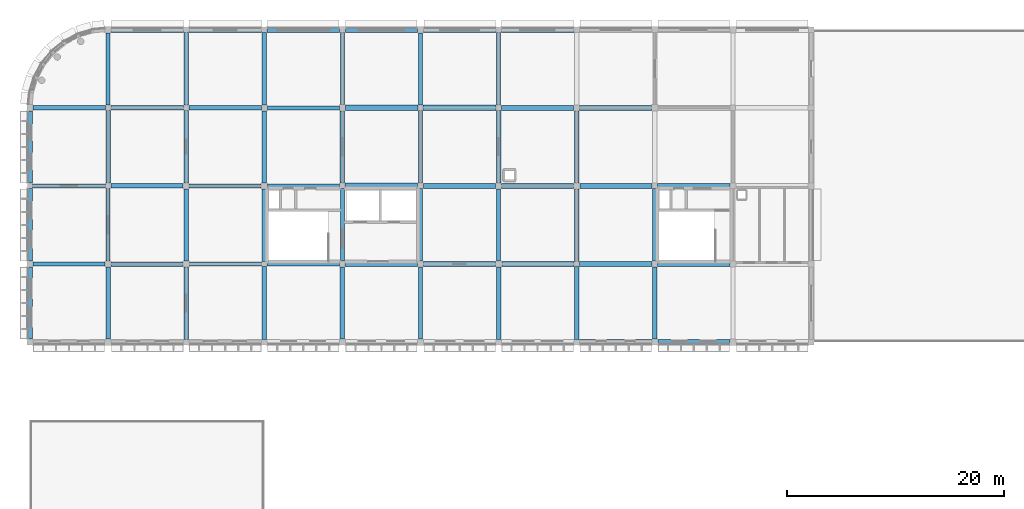
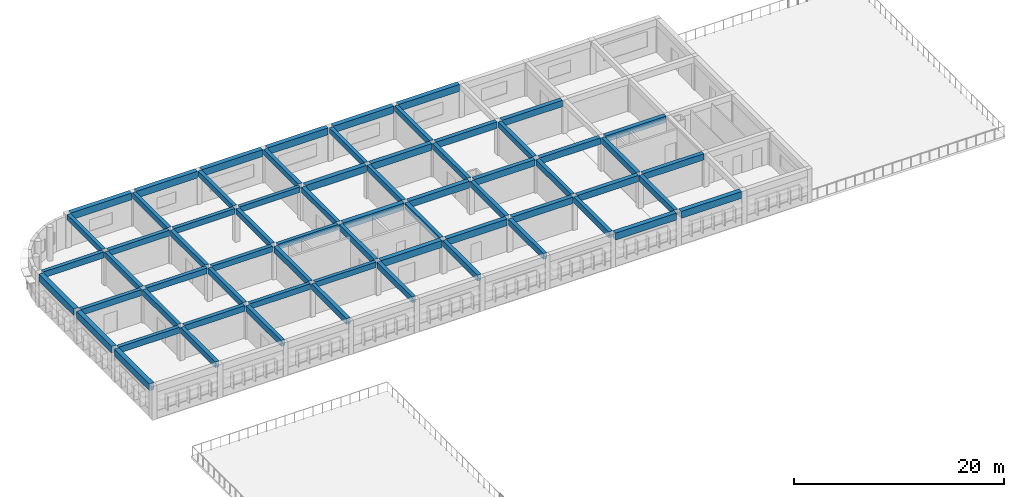
# One storey, part 3 of 22: 66 beams.
"""IFC4 building model written with IfcOpenShell, lengths in metres."""

from ifc_helpers import new_model, si_unit, direction, frame, origin, origin_2d, place, context, subcontext, project, spatial, rectangle, extrude, material, material_profile, profile_set, type_object, element, save


model = new_model("IFC4")

# Units and contexts
model_context = context("Model", 3, precision=1e-05, world=origin(), true_north=direction((0.0, 1.0)))
body_context = subcontext(model_context, "Body", "Model", "MODEL_VIEW")
ifc_project = project(units=[si_unit("LENGTHUNIT", "METRE"), si_unit("AREAUNIT", "SQUARE_METRE"), si_unit("VOLUMEUNIT", "CUBIC_METRE"), si_unit("PLANEANGLEUNIT", "RADIAN"), si_unit("MASSUNIT", "GRAM", prefix="KILO")], contexts=[model_context])

# Site, building, storey
site_placement = place(None, origin())
site = spatial("IfcSite", under=ifc_project, at=site_placement, CompositionType="ELEMENT")
building_placement = place(site_placement, origin())
building = spatial("IfcBuilding", under=site, at=building_placement, Name="Thalmaran Polytechnic", CompositionType="ELEMENT")
storey_placement = place(building_placement, frame((0.0, 0.0, 22.800048828125)))
storey = spatial("IfcBuildingStorey", under=building, at=storey_placement, Name="L05", CompositionType="ELEMENT", Elevation=22.800048828125)

# Beams
ifc_material = material(Name="Concrete C40/50", Category="concrete")
ifc_material_profile_1 = material_profile(ifc_material, rectangle(XDim=0.5, YDim=0.800048828125, at=origin_2d()), Name="RC 500x800")
ifc_profile_set_1 = profile_set([ifc_material_profile_1], Name="Concrete C40/50")
beam_type_1 = type_object("IfcBeamType", Name="BM-RC02", PredefinedType="BEAM", material=ifc_profile_set_1)
beam_1_placement = place(storey_placement, frame((29.06005859375, 100.800048828125, 3.5), z_axis=(1.0, 0.0, 0.0), x_axis=(0.0, 1.0, 0.0)))
element("IfcBeam", 1, at=beam_1_placement, inside=storey, type_object=beam_type_1, Name="Grid Beam B02 L05 X(4,14)", PredefinedType="BEAM", context=body_context, shape_type="SweptSolid", body=[
    extrude(rectangle(XDim=0.5, YDim=0.800048828125, at=origin_2d()), origin(), (0.0, 0.0, 1.0), 6.6650390625),
])
beam_2_placement = place(storey_placement, frame((29.050048828125, 108.0, 3.5), z_axis=(1.0, 0.0, 0.0), x_axis=(0.0, 1.0, 0.0)))
element("IfcBeam", 2, at=beam_2_placement, inside=storey, type_object=beam_type_1, Name="Grid Beam B02 L05 X(4,15)", PredefinedType="BEAM", context=body_context, shape_type="SweptSolid", body=[
    extrude(rectangle(XDim=0.5, YDim=0.800048828125, at=origin_2d()), origin(), (0.0, 0.0, 1.0), 6.68994140625),
])
beam_3_placement = place(storey_placement, frame((29.090087890625, 115.199951171875, 3.5), z_axis=(1.0, 0.0, 0.0), x_axis=(0.0, 1.0, 0.0)))
element("IfcBeam", 3, at=beam_3_placement, inside=storey, type_object=beam_type_1, Name="Grid Beam B02 L05 X(4,16)", PredefinedType="BEAM", context=body_context, shape_type="SweptSolid", body=[
    extrude(rectangle(XDim=0.5, YDim=0.800048828125, at=origin_2d()), origin(), (0.0, 0.0, 1.0), 6.659912109375),
])
ifc_material_profile_2 = material_profile(ifc_material, rectangle(XDim=0.449951171875, YDim=0.75, at=origin_2d()), Name="RC 450x750")
ifc_profile_set_2 = profile_set([ifc_material_profile_2], Name="Concrete C40/50")
beam_type_2 = type_object("IfcBeamType", Name="BM-RC03", PredefinedType="BEAM", material=ifc_profile_set_2)
beam_4_placement = place(storey_placement, frame((43.489990234375, 100.800048828125, 3.52490234375), z_axis=(1.0, 0.0, 0.0), x_axis=(0.0, 1.0, 0.0)))
element("IfcBeam", 4, at=beam_4_placement, inside=storey, type_object=beam_type_2, Name="Grid Beam B03 L05 X(6,14)", PredefinedType="BEAM", context=body_context, shape_type="SweptSolid", body=[
    extrude(rectangle(XDim=0.449951171875, YDim=0.75, at=origin_2d()), origin(), (0.0, 0.0, 1.0), 6.659912109375),
])
beam_5_placement = place(storey_placement, frame((43.47509765625, 108.0, 3.52490234375), z_axis=(1.0, 0.0, 0.0), x_axis=(0.0, 1.0, 0.0)))
element("IfcBeam", 5, at=beam_5_placement, inside=storey, type_object=beam_type_2, Name="Grid Beam B03 L05 X(6,15)", PredefinedType="BEAM", context=body_context, shape_type="SweptSolid", body=[
    extrude(rectangle(XDim=0.449951171875, YDim=0.75, at=origin_2d()), origin(), (0.0, 0.0, 1.0), 6.635009765625),
])
beam_6_placement = place(storey_placement, frame((43.4599609375, 115.199951171875, 3.52490234375), z_axis=(1.0, 0.0, 0.0), x_axis=(0.0, 1.0, 0.0)))
element("IfcBeam", 6, at=beam_6_placement, inside=storey, type_object=beam_type_2, Name="Grid Beam B03 L05 X(6,16)", PredefinedType="BEAM", context=body_context, shape_type="SweptSolid", body=[
    extrude(rectangle(XDim=0.449951171875, YDim=0.75, at=origin_2d()), origin(), (0.0, 0.0, 1.0), 6.6650390625),
])
ifc_material_profile_3 = material_profile(ifc_material, rectangle(XDim=0.449951171875, YDim=0.72509765625, at=origin_2d()), Name="RC 450x725")
ifc_profile_set_3 = profile_set([ifc_material_profile_3], Name="Concrete C40/50")
beam_type_3 = type_object("IfcBeamType", Name="BM-RC04", PredefinedType="BEAM", material=ifc_profile_set_3)
beam_7_placement = place(storey_placement, frame((57.860107421875, 100.800048828125, 3.537353515625), z_axis=(1.0, 0.0, 0.0), x_axis=(0.0, 1.0, 0.0)))
element("IfcBeam", 7, at=beam_7_placement, inside=storey, type_object=beam_type_3, Name="Grid Beam B04 L05 X(8,14)", PredefinedType="BEAM", context=body_context, shape_type="SweptSolid", body=[
    extrude(rectangle(XDim=0.449951171875, YDim=0.72509765625, at=origin_2d()), origin(), (0.0, 0.0, 1.0), 6.664794921875),
])
beam_8_placement = place(storey_placement, frame((57.85009765625, 108.0, 3.537353515625), z_axis=(1.0, 0.0, 0.0), x_axis=(0.0, 1.0, 0.0)))
element("IfcBeam", 8, at=beam_8_placement, inside=storey, type_object=beam_type_3, Name="Grid Beam B04 L05 X(8,15)", PredefinedType="BEAM", context=body_context, shape_type="SweptSolid", body=[
    extrude(rectangle(XDim=0.449951171875, YDim=0.72509765625, at=origin_2d()), origin(), (0.0, 0.0, 1.0), 6.68994140625),
])
ifc_material_profile_4 = material_profile(ifc_material, rectangle(XDim=0.39990234375, YDim=0.699951171875, at=origin_2d()), Name="RC 400x700")
ifc_profile_set_4 = profile_set([ifc_material_profile_4], Name="Concrete C40/50")
beam_type_4 = type_object("IfcBeamType", Name="BM-RC05", PredefinedType="BEAM", material=ifc_profile_set_4)
beam_9_placement = place(storey_placement, frame((0.260009765625, 100.800048828125, 3.550048828125), z_axis=(1.0, 0.0, 0.0), x_axis=(0.0, 1.0, 0.0)))
element("IfcBeam", 9, at=beam_9_placement, inside=storey, type_object=beam_type_4, Name="Grid Beam B05 L05 X(0,14)", PredefinedType="BEAM", context=body_context, shape_type="SweptSolid", body=[
    extrude(rectangle(XDim=0.39990234375, YDim=0.699951171875, at=origin_2d()), origin(), (0.0, 0.0, 1.0), 6.6650390625),
])
beam_10_placement = place(storey_placement, frame((0.25, 108.0, 3.550048828125), z_axis=(1.0, 0.0, 0.0), x_axis=(0.0, 1.0, 0.0)))
element("IfcBeam", 10, at=beam_10_placement, inside=storey, type_object=beam_type_4, Name="Grid Beam B05 L05 X(0,15)", PredefinedType="BEAM", context=body_context, shape_type="SweptSolid", body=[
    extrude(rectangle(XDim=0.39990234375, YDim=0.699951171875, at=origin_2d()), origin(), (0.0, 0.0, 1.0), 6.68994140625),
])
beam_11_placement = place(storey_placement, frame((0.2900390625, 115.199951171875, 3.550048828125), z_axis=(1.0, 0.0, 0.0), x_axis=(0.0, 1.0, 0.0)))
element("IfcBeam", 11, at=beam_11_placement, inside=storey, type_object=beam_type_4, Name="Grid Beam B05 L05 X(0,16)", PredefinedType="BEAM", context=body_context, shape_type="SweptSolid", body=[
    extrude(rectangle(XDim=0.39990234375, YDim=0.699951171875, at=origin_2d()), origin(), (0.0, 0.0, 1.0), 6.659912109375),
])
ifc_material_profile_5 = material_profile(ifc_material, rectangle(XDim=0.39990234375, YDim=0.64990234375, at=origin_2d()), Name="RC 400x650")
ifc_profile_set_5 = profile_set([ifc_material_profile_5], Name="Concrete C40/50")
beam_type_5 = type_object("IfcBeamType", Name="BM-RC06", PredefinedType="BEAM", material=ifc_profile_set_5)
beam_12_placement = place(storey_placement, frame((14.68994140625, 100.800048828125, 3.574951171875), z_axis=(1.0, 0.0, 0.0), x_axis=(0.0, 1.0, 0.0)))
element("IfcBeam", 12, at=beam_12_placement, inside=storey, type_object=beam_type_5, Name="Grid Beam B06 L05 X(2,14)", PredefinedType="BEAM", context=body_context, shape_type="SweptSolid", body=[
    extrude(rectangle(XDim=0.39990234375, YDim=0.64990234375, at=origin_2d()), origin(), (0.0, 0.0, 1.0), 6.66015625),
])
beam_13_placement = place(storey_placement, frame((14.675048828125, 108.0, 3.574951171875), z_axis=(1.0, 0.0, 0.0), x_axis=(0.0, 1.0, 0.0)))
element("IfcBeam", 13, at=beam_13_placement, inside=storey, type_object=beam_type_5, Name="Grid Beam B06 L05 X(2,15)", PredefinedType="BEAM", context=body_context, shape_type="SweptSolid", body=[
    extrude(rectangle(XDim=0.39990234375, YDim=0.64990234375, at=origin_2d()), origin(), (0.0, 0.0, 1.0), 6.635009765625),
])
beam_14_placement = place(storey_placement, frame((14.659912109375, 115.199951171875, 3.574951171875), z_axis=(1.0, 0.0, 0.0), x_axis=(0.0, 1.0, 0.0)))
element("IfcBeam", 14, at=beam_14_placement, inside=storey, type_object=beam_type_5, Name="Grid Beam B06 L05 X(2,16)", PredefinedType="BEAM", context=body_context, shape_type="SweptSolid", body=[
    extrude(rectangle(XDim=0.39990234375, YDim=0.64990234375, at=origin_2d()), origin(), (0.0, 0.0, 1.0), 6.6650390625),
])
ifc_material_profile_6 = material_profile(ifc_material, rectangle(XDim=0.39990234375, YDim=0.6298828125, at=origin_2d()), Name="RC 400x630")
ifc_profile_set_6 = profile_set([ifc_material_profile_6], Name="Concrete C40/50")
beam_type_6 = type_object("IfcBeamType", Name="BM-RC07", PredefinedType="BEAM", material=ifc_profile_set_6)
beam_15_placement = place(storey_placement, frame((7.199951171875, 108.260009765625, 3.5849609375), z_axis=(0.0, 1.0, 0.0), x_axis=(-1.0, 0.0, 0.0)))
element("IfcBeam", 15, at=beam_15_placement, inside=storey, type_object=beam_type_6, Name="Grid Beam B07 L05 Y(1,15)", PredefinedType="BEAM", context=body_context, shape_type="SweptSolid", body=[
    extrude(rectangle(XDim=0.39990234375, YDim=0.6298828125, at=origin_2d()), origin(), (0.0, 0.0, 1.0), 6.68994140625),
])
beam_16_placement = place(storey_placement, frame((14.39990234375, 108.27490234375, 3.5849609375), z_axis=(0.0, 1.0, 0.0), x_axis=(-1.0, 0.0, 0.0)))
element("IfcBeam", 16, at=beam_16_placement, inside=storey, type_object=beam_type_6, Name="Grid Beam B07 L05 Y(2,15)", PredefinedType="BEAM", context=body_context, shape_type="SweptSolid", body=[
    extrude(rectangle(XDim=0.39990234375, YDim=0.6298828125, at=origin_2d()), origin(), (0.0, 0.0, 1.0), 6.6650390625),
])
beam_17_placement = place(storey_placement, frame((21.60009765625, 108.2900390625, 3.5849609375), z_axis=(0.0, 1.0, 0.0), x_axis=(-1.0, 0.0, 0.0)))
element("IfcBeam", 17, at=beam_17_placement, inside=storey, type_object=beam_type_6, Name="Grid Beam B07 L05 Y(3,15)", PredefinedType="BEAM", context=body_context, shape_type="SweptSolid", body=[
    extrude(rectangle(XDim=0.39990234375, YDim=0.6298828125, at=origin_2d()), origin(), (0.0, 0.0, 1.0), 6.635009765625),
])
beam_18_placement = place(storey_placement, frame((28.800048828125, 108.25, 3.5849609375), z_axis=(0.0, 1.0, 0.0), x_axis=(-1.0, 0.0, 0.0)))
element("IfcBeam", 18, at=beam_18_placement, inside=storey, type_object=beam_type_6, Name="Grid Beam B07 L05 Y(4,15)", PredefinedType="BEAM", context=body_context, shape_type="SweptSolid", body=[
    extrude(rectangle(XDim=0.39990234375, YDim=0.6298828125, at=origin_2d()), origin(), (0.0, 0.0, 1.0), 6.659912109375),
])
beam_19_placement = place(storey_placement, frame((36.0, 108.260009765625, 3.5849609375), z_axis=(0.0, 1.0, 0.0), x_axis=(-1.0, 0.0, 0.0)))
element("IfcBeam", 19, at=beam_19_placement, inside=storey, type_object=beam_type_6, Name="Grid Beam B07 L05 Y(5,15)", PredefinedType="BEAM", context=body_context, shape_type="SweptSolid", body=[
    extrude(rectangle(XDim=0.39990234375, YDim=0.6298828125, at=origin_2d()), origin(), (0.0, 0.0, 1.0), 6.68994140625),
])
beam_20_placement = place(storey_placement, frame((43.199951171875, 108.27490234375, 3.5849609375), z_axis=(0.0, 1.0, 0.0), x_axis=(-1.0, 0.0, 0.0)))
element("IfcBeam", 20, at=beam_20_placement, inside=storey, type_object=beam_type_6, Name="Grid Beam B07 L05 Y(6,15)", PredefinedType="BEAM", context=body_context, shape_type="SweptSolid", body=[
    extrude(rectangle(XDim=0.39990234375, YDim=0.6298828125, at=origin_2d()), origin(), (0.0, 0.0, 1.0), 6.6650390625),
])
beam_21_placement = place(storey_placement, frame((50.39990234375, 108.2900390625, 3.5849609375), z_axis=(0.0, 1.0, 0.0), x_axis=(-1.0, 0.0, 0.0)))
element("IfcBeam", 21, at=beam_21_placement, inside=storey, type_object=beam_type_6, Name="Grid Beam B07 L05 Y(7,15)", PredefinedType="BEAM", context=body_context, shape_type="SweptSolid", body=[
    extrude(rectangle(XDim=0.39990234375, YDim=0.6298828125, at=origin_2d()), origin(), (0.0, 0.0, 1.0), 6.635009765625),
])
ifc_material_profile_7 = material_profile(ifc_material, rectangle(XDim=0.389892578125, YDim=0.695068359375, at=origin_2d()), Name="RC 390x695")
ifc_profile_set_7 = profile_set([ifc_material_profile_7], Name="Concrete C40/50")
beam_type_7 = type_object("IfcBeamType", Name="BM-RC10", PredefinedType="BEAM", material=ifc_profile_set_7)
beam_22_placement = place(storey_placement, frame((7.199951171875, 101.074951171875, 3.552490234375), z_axis=(0.0, 1.0, 0.0), x_axis=(-1.0, 0.0, 0.0)))
element("IfcBeam", 22, at=beam_22_placement, inside=storey, type_object=beam_type_7, Name="Grid Beam B10 L05 Y(1,14)", PredefinedType="BEAM", context=body_context, shape_type="SweptSolid", body=[
    extrude(rectangle(XDim=0.389892578125, YDim=0.695068359375, at=origin_2d()), origin(), (0.0, 0.0, 1.0), 6.6650390625),
])
beam_23_placement = place(storey_placement, frame((14.39990234375, 101.090087890625, 3.552490234375), z_axis=(0.0, 1.0, 0.0), x_axis=(-1.0, 0.0, 0.0)))
element("IfcBeam", 23, at=beam_23_placement, inside=storey, type_object=beam_type_7, Name="Grid Beam B10 L05 Y(2,14)", PredefinedType="BEAM", context=body_context, shape_type="SweptSolid", body=[
    extrude(rectangle(XDim=0.389892578125, YDim=0.695068359375, at=origin_2d()), origin(), (0.0, 0.0, 1.0), 6.635009765625),
])
beam_24_placement = place(storey_placement, frame((21.60009765625, 101.050048828125, 3.552490234375), z_axis=(0.0, 1.0, 0.0), x_axis=(-1.0, 0.0, 0.0)))
element("IfcBeam", 24, at=beam_24_placement, inside=storey, type_object=beam_type_7, Name="Grid Beam B10 L05 Y(3,14)", PredefinedType="BEAM", context=body_context, shape_type="SweptSolid", body=[
    extrude(rectangle(XDim=0.389892578125, YDim=0.695068359375, at=origin_2d()), origin(), (0.0, 0.0, 1.0), 6.659912109375),
])
beam_25_placement = place(storey_placement, frame((28.800048828125, 101.06005859375, 3.552490234375), z_axis=(0.0, 1.0, 0.0), x_axis=(-1.0, 0.0, 0.0)))
element("IfcBeam", 25, at=beam_25_placement, inside=storey, type_object=beam_type_7, Name="Grid Beam B10 L05 Y(4,14)", PredefinedType="BEAM", context=body_context, shape_type="SweptSolid", body=[
    extrude(rectangle(XDim=0.389892578125, YDim=0.695068359375, at=origin_2d()), origin(), (0.0, 0.0, 1.0), 6.68994140625),
])
beam_26_placement = place(storey_placement, frame((36.0, 101.074951171875, 3.552490234375), z_axis=(0.0, 1.0, 0.0), x_axis=(-1.0, 0.0, 0.0)))
element("IfcBeam", 26, at=beam_26_placement, inside=storey, type_object=beam_type_7, Name="Grid Beam B10 L05 Y(5,14)", PredefinedType="BEAM", context=body_context, shape_type="SweptSolid", body=[
    extrude(rectangle(XDim=0.389892578125, YDim=0.695068359375, at=origin_2d()), origin(), (0.0, 0.0, 1.0), 6.6650390625),
])
beam_27_placement = place(storey_placement, frame((43.199951171875, 101.090087890625, 3.552490234375), z_axis=(0.0, 1.0, 0.0), x_axis=(-1.0, 0.0, 0.0)))
element("IfcBeam", 27, at=beam_27_placement, inside=storey, type_object=beam_type_7, Name="Grid Beam B10 L05 Y(6,14)", PredefinedType="BEAM", context=body_context, shape_type="SweptSolid", body=[
    extrude(rectangle(XDim=0.389892578125, YDim=0.695068359375, at=origin_2d()), origin(), (0.0, 0.0, 1.0), 6.635009765625),
])
beam_28_placement = place(storey_placement, frame((50.39990234375, 101.050048828125, 3.552490234375), z_axis=(0.0, 1.0, 0.0), x_axis=(-1.0, 0.0, 0.0)))
element("IfcBeam", 28, at=beam_28_placement, inside=storey, type_object=beam_type_7, Name="Grid Beam B10 L05 Y(7,14)", PredefinedType="BEAM", context=body_context, shape_type="SweptSolid", body=[
    extrude(rectangle(XDim=0.389892578125, YDim=0.695068359375, at=origin_2d()), origin(), (0.0, 0.0, 1.0), 6.659912109375),
])
beam_29_placement = place(storey_placement, frame((57.60009765625, 101.06005859375, 3.552490234375), z_axis=(0.0, 1.0, 0.0), x_axis=(-1.0, 0.0, 0.0)))
element("IfcBeam", 29, at=beam_29_placement, inside=storey, type_object=beam_type_7, Name="Grid Beam B10 L05 Y(8,14)", PredefinedType="BEAM", context=body_context, shape_type="SweptSolid", body=[
    extrude(rectangle(XDim=0.389892578125, YDim=0.695068359375, at=origin_2d()), origin(), (0.0, 0.0, 1.0), 6.68994140625),
])
ifc_material_profile_8 = material_profile(ifc_material, rectangle(XDim=0.5, YDim=0.804931640625, at=origin_2d()), Name="RC 500x805")
ifc_profile_set_8 = profile_set([ifc_material_profile_8], Name="Concrete C40/50")
beam_type_8 = type_object("IfcBeamType", Name="BM-SP03", PredefinedType="SPANDREL", material=ifc_profile_set_8)
beam_30_placement = place(storey_placement, frame((7.489990234375, 122.39990234375, 3.49755859375), z_axis=(1.0, 0.0, 0.0), x_axis=(0.0, 1.0, 0.0)))
element("IfcBeam", 30, at=beam_30_placement, inside=storey, type_object=beam_type_8, Name="Grid Beam SP03 L05 X(1,17)", PredefinedType="SPANDREL", context=body_context, shape_type="SweptSolid", body=[
    extrude(rectangle(XDim=0.5, YDim=0.804931640625, at=origin_2d()), origin(), (0.0, 0.0, 1.0), 6.659912109375),
])
beam_31_placement = place(storey_placement, frame((14.64990234375, 122.39990234375, 3.49755859375), z_axis=(1.0, 0.0, 0.0), x_axis=(0.0, 1.0, 0.0)))
element("IfcBeam", 31, at=beam_31_placement, inside=storey, type_object=beam_type_8, Name="Grid Beam SP03 L05 X(2,17)", PredefinedType="SPANDREL", context=body_context, shape_type="SweptSolid", body=[
    extrude(rectangle(XDim=0.5, YDim=0.804931640625, at=origin_2d()), origin(), (0.0, 0.0, 1.0), 6.690185546875),
])
beam_32_placement = place(storey_placement, frame((21.860107421875, 122.39990234375, 3.49755859375), z_axis=(1.0, 0.0, 0.0), x_axis=(0.0, 1.0, 0.0)))
element("IfcBeam", 32, at=beam_32_placement, inside=storey, type_object=beam_type_8, Name="Grid Beam SP03 L05 X(3,17)", PredefinedType="SPANDREL", context=body_context, shape_type="SweptSolid", body=[
    extrude(rectangle(XDim=0.5, YDim=0.804931640625, at=origin_2d()), origin(), (0.0, 0.0, 1.0), 6.664794921875),
])
beam_33_placement = place(storey_placement, frame((29.074951171875, 122.39990234375, 3.49755859375), z_axis=(1.0, 0.0, 0.0), x_axis=(0.0, 1.0, 0.0)))
element("IfcBeam", 33, at=beam_33_placement, inside=storey, type_object=beam_type_8, Name="Grid Beam SP03 L05 X(4,17)", PredefinedType="SPANDREL", context=body_context, shape_type="SweptSolid", body=[
    extrude(rectangle(XDim=0.5, YDim=0.804931640625, at=origin_2d()), origin(), (0.0, 0.0, 1.0), 6.635009765625),
])
beam_34_placement = place(storey_placement, frame((36.2900390625, 122.39990234375, 3.49755859375), z_axis=(1.0, 0.0, 0.0), x_axis=(0.0, 1.0, 0.0)))
element("IfcBeam", 34, at=beam_34_placement, inside=storey, type_object=beam_type_8, Name="Grid Beam SP03 L05 X(5,17)", PredefinedType="SPANDREL", context=body_context, shape_type="SweptSolid", body=[
    extrude(rectangle(XDim=0.5, YDim=0.804931640625, at=origin_2d()), origin(), (0.0, 0.0, 1.0), 6.659912109375),
])
beam_35_placement = place(storey_placement, frame((43.449951171875, 122.39990234375, 3.49755859375), z_axis=(1.0, 0.0, 0.0), x_axis=(0.0, 1.0, 0.0)))
element("IfcBeam", 35, at=beam_35_placement, inside=storey, type_object=beam_type_8, Name="Grid Beam SP03 L05 X(6,17)", PredefinedType="SPANDREL", context=body_context, shape_type="SweptSolid", body=[
    extrude(rectangle(XDim=0.5, YDim=0.804931640625, at=origin_2d()), origin(), (0.0, 0.0, 1.0), 6.68994140625),
])
beam_36_placement = place(storey_placement, frame((50.659912109375, 93.60009765625, 3.49755859375), z_axis=(1.0, 0.0, 0.0), x_axis=(0.0, 1.0, 0.0)))
element("IfcBeam", 36, at=beam_36_placement, inside=storey, type_object=beam_type_8, Name="Grid Beam SP03 L05 X(7,13)", PredefinedType="SPANDREL", context=body_context, shape_type="SweptSolid", body=[
    extrude(rectangle(XDim=0.5, YDim=0.804931640625, at=origin_2d()), origin(), (0.0, 0.0, 1.0), 6.6650390625),
])
beam_37_placement = place(storey_placement, frame((57.875, 93.60009765625, 3.49755859375), z_axis=(1.0, 0.0, 0.0), x_axis=(0.0, 1.0, 0.0)))
element("IfcBeam", 37, at=beam_37_placement, inside=storey, type_object=beam_type_8, Name="Grid Beam SP03 L05 X(8,13)", PredefinedType="SPANDREL", context=body_context, shape_type="SweptSolid", body=[
    extrude(rectangle(XDim=0.5, YDim=0.804931640625, at=origin_2d()), origin(), (0.0, 0.0, 1.0), 6.635009765625),
])
beam_38_placement = place(storey_placement, frame((0.0, 93.875, 3.49755859375), z_axis=(0.0, 1.0, 0.0), x_axis=(-1.0, 0.0, 0.0)))
element("IfcBeam", 38, at=beam_38_placement, inside=storey, type_object=beam_type_8, Name="Grid Beam SP03 L05 Y(0,13)", PredefinedType="SPANDREL", context=body_context, shape_type="SweptSolid", body=[
    extrude(rectangle(XDim=0.5, YDim=0.804931640625, at=origin_2d()), origin(), (0.0, 0.0, 1.0), 6.6650390625),
])
beam_39_placement = place(storey_placement, frame((0.0, 101.06005859375, 3.49755859375), z_axis=(0.0, 1.0, 0.0), x_axis=(-1.0, 0.0, 0.0)))
element("IfcBeam", 39, at=beam_39_placement, inside=storey, type_object=beam_type_8, Name="Grid Beam SP03 L05 Y(0,14)", PredefinedType="SPANDREL", context=body_context, shape_type="SweptSolid", body=[
    extrude(rectangle(XDim=0.5, YDim=0.804931640625, at=origin_2d()), origin(), (0.0, 0.0, 1.0), 6.68994140625),
])
beam_40_placement = place(storey_placement, frame((0.0, 108.25, 3.49755859375), z_axis=(0.0, 1.0, 0.0), x_axis=(-1.0, 0.0, 0.0)))
element("IfcBeam", 40, at=beam_40_placement, inside=storey, type_object=beam_type_8, Name="Grid Beam SP03 L05 Y(0,15)", PredefinedType="SPANDREL", context=body_context, shape_type="SweptSolid", body=[
    extrude(rectangle(XDim=0.5, YDim=0.804931640625, at=origin_2d()), origin(), (0.0, 0.0, 1.0), 6.659912109375),
])
ifc_material_profile_9 = material_profile(ifc_material, rectangle(XDim=0.47998046875, YDim=0.780029296875, at=origin_2d()), Name="RC 480x780")
ifc_profile_set_9 = profile_set([ifc_material_profile_9], Name="Concrete C40/50")
beam_type_9 = type_object("IfcBeamType", Name="BM-ZB01", PredefinedType="BEAM", material=ifc_profile_set_9)
beam_41_placement = place(storey_placement, frame((36.27490234375, 100.800048828125, 3.510009765625), z_axis=(1.0, 0.0, 0.0), x_axis=(0.0, 1.0, 0.0)))
element("IfcBeam", 41, at=beam_41_placement, inside=storey, type_object=beam_type_9, Name="Grid Beam ZB01 L05 X(5,14)", PredefinedType="BEAM", context=body_context, shape_type="SweptSolid", body=[
    extrude(rectangle(XDim=0.47998046875, YDim=0.780029296875, at=origin_2d()), origin(), (0.0, 0.0, 1.0), 6.635009765625),
])
beam_42_placement = place(storey_placement, frame((36.260009765625, 108.0, 3.510009765625), z_axis=(1.0, 0.0, 0.0), x_axis=(0.0, 1.0, 0.0)))
element("IfcBeam", 42, at=beam_42_placement, inside=storey, type_object=beam_type_9, Name="Grid Beam ZB01 L05 X(5,15)", PredefinedType="BEAM", context=body_context, shape_type="SweptSolid", body=[
    extrude(rectangle(XDim=0.47998046875, YDim=0.780029296875, at=origin_2d()), origin(), (0.0, 0.0, 1.0), 6.6650390625),
])
beam_43_placement = place(storey_placement, frame((36.25, 115.199951171875, 3.510009765625), z_axis=(1.0, 0.0, 0.0), x_axis=(0.0, 1.0, 0.0)))
element("IfcBeam", 43, at=beam_43_placement, inside=storey, type_object=beam_type_9, Name="Grid Beam ZB01 L05 X(5,16)", PredefinedType="BEAM", context=body_context, shape_type="SweptSolid", body=[
    extrude(rectangle(XDim=0.47998046875, YDim=0.780029296875, at=origin_2d()), origin(), (0.0, 0.0, 1.0), 6.68994140625),
])
ifc_material_profile_10 = material_profile(ifc_material, rectangle(XDim=0.4599609375, YDim=0.739990234375, at=origin_2d()), Name="RC 460x740")
ifc_profile_set_10 = profile_set([ifc_material_profile_10], Name="Concrete C40/50")
beam_type_10 = type_object("IfcBeamType", Name="BM-ZB02", PredefinedType="BEAM", material=ifc_profile_set_10)
beam_44_placement = place(storey_placement, frame((50.64990234375, 100.800048828125, 3.530029296875), z_axis=(1.0, 0.0, 0.0), x_axis=(0.0, 1.0, 0.0)))
element("IfcBeam", 44, at=beam_44_placement, inside=storey, type_object=beam_type_10, Name="Grid Beam ZB02 L05 X(7,14)", PredefinedType="BEAM", context=body_context, shape_type="SweptSolid", body=[
    extrude(rectangle(XDim=0.4599609375, YDim=0.739990234375, at=origin_2d()), origin(), (0.0, 0.0, 1.0), 6.690185546875),
])
beam_45_placement = place(storey_placement, frame((50.68994140625, 108.0, 3.530029296875), z_axis=(1.0, 0.0, 0.0), x_axis=(0.0, 1.0, 0.0)))
element("IfcBeam", 45, at=beam_45_placement, inside=storey, type_object=beam_type_10, Name="Grid Beam ZB02 L05 X(7,15)", PredefinedType="BEAM", context=body_context, shape_type="SweptSolid", body=[
    extrude(rectangle(XDim=0.4599609375, YDim=0.739990234375, at=origin_2d()), origin(), (0.0, 0.0, 1.0), 6.66015625),
])
beam_46_placement = place(storey_placement, frame((50.675048828125, 115.199951171875, 3.530029296875), z_axis=(1.0, 0.0, 0.0), x_axis=(0.0, 1.0, 0.0)))
element("IfcBeam", 46, at=beam_46_placement, inside=storey, type_object=beam_type_10, Name="Grid Beam ZB02 L05 X(7,16)", PredefinedType="BEAM", context=body_context, shape_type="SweptSolid", body=[
    extrude(rectangle(XDim=0.4599609375, YDim=0.739990234375, at=origin_2d()), origin(), (0.0, 0.0, 1.0), 6.635009765625),
])
ifc_material_profile_11 = material_profile(ifc_material, rectangle(XDim=0.419921875, YDim=0.659912109375, at=origin_2d()), Name="RC 420x660")
ifc_profile_set_11 = profile_set([ifc_material_profile_11], Name="Concrete C40/50")
beam_type_11 = type_object("IfcBeamType", Name="BM-ZB04", PredefinedType="BEAM", material=ifc_profile_set_11)
beam_47_placement = place(storey_placement, frame((7.47509765625, 100.800048828125, 3.570068359375), z_axis=(1.0, 0.0, 0.0), x_axis=(0.0, 1.0, 0.0)))
element("IfcBeam", 47, at=beam_47_placement, inside=storey, type_object=beam_type_11, Name="Grid Beam ZB04 L05 X(1,14)", PredefinedType="BEAM", context=body_context, shape_type="SweptSolid", body=[
    extrude(rectangle(XDim=0.419921875, YDim=0.659912109375, at=origin_2d()), origin(), (0.0, 0.0, 1.0), 6.635009765625),
])
beam_48_placement = place(storey_placement, frame((7.4599609375, 108.0, 3.570068359375), z_axis=(1.0, 0.0, 0.0), x_axis=(0.0, 1.0, 0.0)))
element("IfcBeam", 48, at=beam_48_placement, inside=storey, type_object=beam_type_11, Name="Grid Beam ZB04 L05 X(1,15)", PredefinedType="BEAM", context=body_context, shape_type="SweptSolid", body=[
    extrude(rectangle(XDim=0.419921875, YDim=0.659912109375, at=origin_2d()), origin(), (0.0, 0.0, 1.0), 6.6650390625),
])
beam_49_placement = place(storey_placement, frame((7.449951171875, 115.199951171875, 3.570068359375), z_axis=(1.0, 0.0, 0.0), x_axis=(0.0, 1.0, 0.0)))
element("IfcBeam", 49, at=beam_49_placement, inside=storey, type_object=beam_type_11, Name="Grid Beam ZB04 L05 X(1,16)", PredefinedType="BEAM", context=body_context, shape_type="SweptSolid", body=[
    extrude(rectangle(XDim=0.419921875, YDim=0.659912109375, at=origin_2d()), origin(), (0.0, 0.0, 1.0), 6.68994140625),
])
ifc_material_profile_12 = material_profile(ifc_material, rectangle(XDim=0.3798828125, YDim=0.639892578125, at=origin_2d()), Name="RC 380x640")
ifc_profile_set_12 = profile_set([ifc_material_profile_12], Name="Concrete C40/50")
beam_type_12 = type_object("IfcBeamType", Name="BM-ZB05", PredefinedType="BEAM", material=ifc_profile_set_12)
beam_50_placement = place(storey_placement, frame((21.85009765625, 100.800048828125, 3.579833984375), z_axis=(1.0, 0.0, 0.0), x_axis=(0.0, 1.0, 0.0)))
element("IfcBeam", 50, at=beam_50_placement, inside=storey, type_object=beam_type_12, Name="Grid Beam ZB05 L05 X(3,14)", PredefinedType="BEAM", context=body_context, shape_type="SweptSolid", body=[
    extrude(rectangle(XDim=0.3798828125, YDim=0.639892578125, at=origin_2d()), origin(), (0.0, 0.0, 1.0), 6.68994140625),
])
beam_51_placement = place(storey_placement, frame((21.889892578125, 108.0, 3.579833984375), z_axis=(1.0, 0.0, 0.0), x_axis=(0.0, 1.0, 0.0)))
element("IfcBeam", 51, at=beam_51_placement, inside=storey, type_object=beam_type_12, Name="Grid Beam ZB05 L05 X(3,15)", PredefinedType="BEAM", context=body_context, shape_type="SweptSolid", body=[
    extrude(rectangle(XDim=0.3798828125, YDim=0.639892578125, at=origin_2d()), origin(), (0.0, 0.0, 1.0), 6.66015625),
])
beam_52_placement = place(storey_placement, frame((21.875, 115.199951171875, 3.579833984375), z_axis=(1.0, 0.0, 0.0), x_axis=(0.0, 1.0, 0.0)))
element("IfcBeam", 52, at=beam_52_placement, inside=storey, type_object=beam_type_12, Name="Grid Beam ZB05 L05 X(3,16)", PredefinedType="BEAM", context=body_context, shape_type="SweptSolid", body=[
    extrude(rectangle(XDim=0.3798828125, YDim=0.639892578125, at=origin_2d()), origin(), (0.0, 0.0, 1.0), 6.635009765625),
])
ifc_material_profile_13 = material_profile(ifc_material, rectangle(XDim=0.3798828125, YDim=0.635009765625, at=origin_2d()), Name="RC 380x635")
ifc_profile_set_13 = profile_set([ifc_material_profile_13], Name="Concrete C40/50")
beam_type_13 = type_object("IfcBeamType", Name="BM-ZB06", PredefinedType="BEAM", material=ifc_profile_set_13)
beam_53_placement = place(storey_placement, frame((7.199951171875, 115.449951171875, 3.58251953125), z_axis=(0.0, 1.0, 0.0), x_axis=(-1.0, 0.0, 0.0)))
element("IfcBeam", 53, at=beam_53_placement, inside=storey, type_object=beam_type_13, Name="Grid Beam ZB06 L05 Y(1,16)", PredefinedType="BEAM", context=body_context, shape_type="SweptSolid", body=[
    extrude(rectangle(XDim=0.3798828125, YDim=0.635009765625, at=origin_2d()), origin(), (0.0, 0.0, 1.0), 6.66015625),
])
beam_54_placement = place(storey_placement, frame((14.39990234375, 115.4599609375, 3.58251953125), z_axis=(0.0, 1.0, 0.0), x_axis=(-1.0, 0.0, 0.0)))
element("IfcBeam", 54, at=beam_54_placement, inside=storey, type_object=beam_type_13, Name="Grid Beam ZB06 L05 Y(2,16)", PredefinedType="BEAM", context=body_context, shape_type="SweptSolid", body=[
    extrude(rectangle(XDim=0.3798828125, YDim=0.635009765625, at=origin_2d()), origin(), (0.0, 0.0, 1.0), 6.68994140625),
])
beam_55_placement = place(storey_placement, frame((21.60009765625, 115.47509765625, 3.58251953125), z_axis=(0.0, 1.0, 0.0), x_axis=(-1.0, 0.0, 0.0)))
element("IfcBeam", 55, at=beam_55_placement, inside=storey, type_object=beam_type_13, Name="Grid Beam ZB06 L05 Y(3,16)", PredefinedType="BEAM", context=body_context, shape_type="SweptSolid", body=[
    extrude(rectangle(XDim=0.3798828125, YDim=0.635009765625, at=origin_2d()), origin(), (0.0, 0.0, 1.0), 6.664794921875),
])
beam_56_placement = place(storey_placement, frame((28.800048828125, 115.489990234375, 3.58251953125), z_axis=(0.0, 1.0, 0.0), x_axis=(-1.0, 0.0, 0.0)))
element("IfcBeam", 56, at=beam_56_placement, inside=storey, type_object=beam_type_13, Name="Grid Beam ZB06 L05 Y(4,16)", PredefinedType="BEAM", context=body_context, shape_type="SweptSolid", body=[
    extrude(rectangle(XDim=0.3798828125, YDim=0.635009765625, at=origin_2d()), origin(), (0.0, 0.0, 1.0), 6.635009765625),
])
beam_57_placement = place(storey_placement, frame((36.0, 115.449951171875, 3.58251953125), z_axis=(0.0, 1.0, 0.0), x_axis=(-1.0, 0.0, 0.0)))
element("IfcBeam", 57, at=beam_57_placement, inside=storey, type_object=beam_type_13, Name="Grid Beam ZB06 L05 Y(5,16)", PredefinedType="BEAM", context=body_context, shape_type="SweptSolid", body=[
    extrude(rectangle(XDim=0.3798828125, YDim=0.635009765625, at=origin_2d()), origin(), (0.0, 0.0, 1.0), 6.66015625),
])
beam_58_placement = place(storey_placement, frame((43.199951171875, 115.4599609375, 3.58251953125), z_axis=(0.0, 1.0, 0.0), x_axis=(-1.0, 0.0, 0.0)))
element("IfcBeam", 58, at=beam_58_placement, inside=storey, type_object=beam_type_13, Name="Grid Beam ZB06 L05 Y(6,16)", PredefinedType="BEAM", context=body_context, shape_type="SweptSolid", body=[
    extrude(rectangle(XDim=0.3798828125, YDim=0.635009765625, at=origin_2d()), origin(), (0.0, 0.0, 1.0), 6.68994140625),
])
ifc_material_profile_14 = material_profile(ifc_material, rectangle(XDim=0.39990234375, YDim=0.695068359375, at=origin_2d()), Name="RC 400x695")
ifc_profile_set_14 = profile_set([ifc_material_profile_14], Name="Concrete C40/50")
beam_type_14 = type_object("IfcBeamType", Name="BM-ZB08", PredefinedType="BEAM", material=ifc_profile_set_14)
beam_59_placement = place(storey_placement, frame((7.199951171875, 93.889892578125, 3.552490234375), z_axis=(0.0, 1.0, 0.0), x_axis=(-1.0, 0.0, 0.0)))
element("IfcBeam", 59, at=beam_59_placement, inside=storey, type_object=beam_type_14, Name="Grid Beam ZB08 L05 Y(1,13)", PredefinedType="BEAM", context=body_context, shape_type="SweptSolid", body=[
    extrude(rectangle(XDim=0.39990234375, YDim=0.695068359375, at=origin_2d()), origin(), (0.0, 0.0, 1.0), 6.635009765625),
])
beam_60_placement = place(storey_placement, frame((14.39990234375, 93.85009765625, 3.552490234375), z_axis=(0.0, 1.0, 0.0), x_axis=(-1.0, 0.0, 0.0)))
element("IfcBeam", 60, at=beam_60_placement, inside=storey, type_object=beam_type_14, Name="Grid Beam ZB08 L05 Y(2,13)", PredefinedType="BEAM", context=body_context, shape_type="SweptSolid", body=[
    extrude(rectangle(XDim=0.39990234375, YDim=0.695068359375, at=origin_2d()), origin(), (0.0, 0.0, 1.0), 6.659912109375),
])
beam_61_placement = place(storey_placement, frame((21.60009765625, 93.860107421875, 3.552490234375), z_axis=(0.0, 1.0, 0.0), x_axis=(-1.0, 0.0, 0.0)))
element("IfcBeam", 61, at=beam_61_placement, inside=storey, type_object=beam_type_14, Name="Grid Beam ZB08 L05 Y(3,13)", PredefinedType="BEAM", context=body_context, shape_type="SweptSolid", body=[
    extrude(rectangle(XDim=0.39990234375, YDim=0.695068359375, at=origin_2d()), origin(), (0.0, 0.0, 1.0), 6.68994140625),
])
beam_62_placement = place(storey_placement, frame((28.800048828125, 93.875, 3.552490234375), z_axis=(0.0, 1.0, 0.0), x_axis=(-1.0, 0.0, 0.0)))
element("IfcBeam", 62, at=beam_62_placement, inside=storey, type_object=beam_type_14, Name="Grid Beam ZB08 L05 Y(4,13)", PredefinedType="BEAM", context=body_context, shape_type="SweptSolid", body=[
    extrude(rectangle(XDim=0.39990234375, YDim=0.695068359375, at=origin_2d()), origin(), (0.0, 0.0, 1.0), 6.6650390625),
])
beam_63_placement = place(storey_placement, frame((36.0, 93.889892578125, 3.552490234375), z_axis=(0.0, 1.0, 0.0), x_axis=(-1.0, 0.0, 0.0)))
element("IfcBeam", 63, at=beam_63_placement, inside=storey, type_object=beam_type_14, Name="Grid Beam ZB08 L05 Y(5,13)", PredefinedType="BEAM", context=body_context, shape_type="SweptSolid", body=[
    extrude(rectangle(XDim=0.39990234375, YDim=0.695068359375, at=origin_2d()), origin(), (0.0, 0.0, 1.0), 6.635009765625),
])
beam_64_placement = place(storey_placement, frame((43.199951171875, 93.85009765625, 3.552490234375), z_axis=(0.0, 1.0, 0.0), x_axis=(-1.0, 0.0, 0.0)))
element("IfcBeam", 64, at=beam_64_placement, inside=storey, type_object=beam_type_14, Name="Grid Beam ZB08 L05 Y(6,13)", PredefinedType="BEAM", context=body_context, shape_type="SweptSolid", body=[
    extrude(rectangle(XDim=0.39990234375, YDim=0.695068359375, at=origin_2d()), origin(), (0.0, 0.0, 1.0), 6.659912109375),
])
beam_65_placement = place(storey_placement, frame((50.39990234375, 93.860107421875, 3.552490234375), z_axis=(0.0, 1.0, 0.0), x_axis=(-1.0, 0.0, 0.0)))
element("IfcBeam", 65, at=beam_65_placement, inside=storey, type_object=beam_type_14, Name="Grid Beam ZB08 L05 Y(7,13)", PredefinedType="BEAM", context=body_context, shape_type="SweptSolid", body=[
    extrude(rectangle(XDim=0.39990234375, YDim=0.695068359375, at=origin_2d()), origin(), (0.0, 0.0, 1.0), 6.68994140625),
])
beam_66_placement = place(storey_placement, frame((57.60009765625, 93.875, 3.552490234375), z_axis=(0.0, 1.0, 0.0), x_axis=(-1.0, 0.0, 0.0)))
element("IfcBeam", 66, at=beam_66_placement, inside=storey, type_object=beam_type_14, Name="Grid Beam ZB08 L05 Y(8,13)", PredefinedType="BEAM", context=body_context, shape_type="SweptSolid", body=[
    extrude(rectangle(XDim=0.39990234375, YDim=0.695068359375, at=origin_2d()), origin(), (0.0, 0.0, 1.0), 6.6650390625),
])

save(model, "model.ifc")
